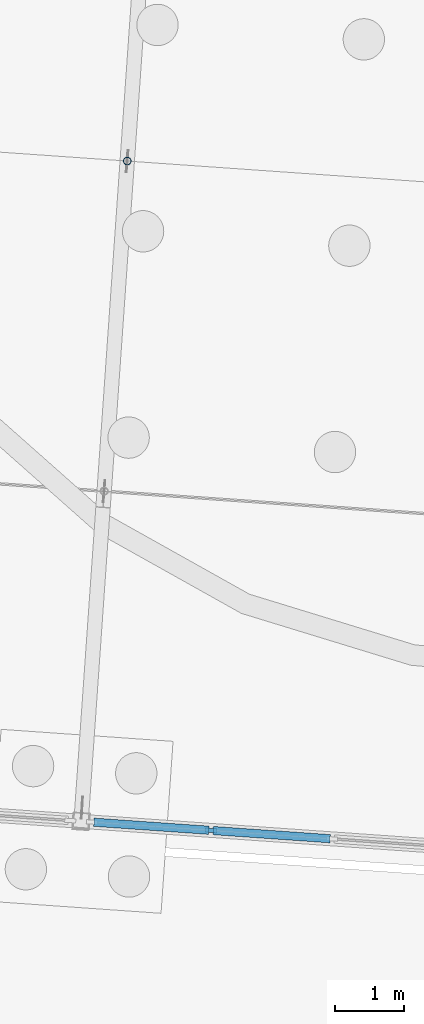
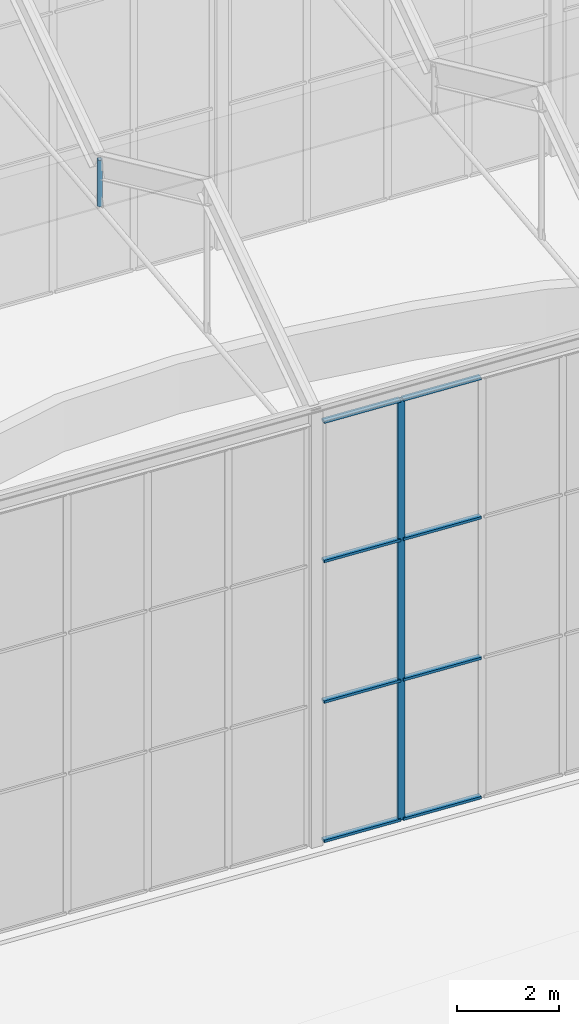
# One storey, part 41 of 157: 10 members, 1 element without a shape of its own.
"""IFC4 building model written with IfcOpenShell, lengths in metres."""

import ifcopenshell
import ifcopenshell.guid

model = None  # the IFC model being written
_history = None  # IfcOwnerHistory: only IFC2X3 demands one
_inside = {}  # id of a spatial element -> (the spatial element, [elements in it])
_under = {}  # id of a project, library or spatial element -> (it, [spatial elements below it])
_declared = {}  # id of a project -> (the project, [libraries it declares])
_typed = {}  # id of a type object -> (the type object, [elements of that type])
_made_of = {}  # id of a material, layer set ... -> (it, [elements and type objects made of it])


def new_model(schema):
    """Start an empty IFC model of exactly this schema.

    Asked for "IFC4X3", IfcOpenShell would pick the latest addendum, in which some entities
    have other attributes; the version numbers below select the first issue.
    IFC2X3 requires an IfcOwnerHistory on every rooted entity: one is made here for all.
    """
    global model, _history
    if schema == "IFC4X3":
        model = ifcopenshell.file(schema_version=(4, 3, 0, 0))
    else:
        model = ifcopenshell.file(schema=schema)
    _inside.clear()
    _under.clear()
    _declared.clear()
    _typed.clear()
    _made_of.clear()
    _history = None
    if model.schema == "IFC2X3":
        org = make("IfcOrganization", Name="unknown")
        user = make(
            "IfcPersonAndOrganization",
            ThePerson=make("IfcPerson", FamilyName="unknown"),
            TheOrganization=org,
        )
        app = make(
            "IfcApplication",
            ApplicationDeveloper=org,
            Version="unknown",
            ApplicationFullName="unknown",
            ApplicationIdentifier="unknown",
        )
        _history = make(
            "IfcOwnerHistory",
            OwningUser=user,
            OwningApplication=app,
            ChangeAction="ADDED",
            CreationDate=0,
        )
    return model


def make(cls, **values):
    """One entity of the class cls with the attributes given. An attribute that is None is left unset."""
    return model.create_entity(
        cls, **{name: value for name, value in values.items() if value is not None}
    )


def rooted(cls, **values):
    """An entity with a GlobalId (a new one), such as an element, a storey or a relation."""
    return make(cls, GlobalId=ifcopenshell.guid.new(), OwnerHistory=_history, **values)


def si_unit(unit_type, name, prefix=None):
    """IfcSIUnit, for example si_unit("LENGTHUNIT", "METRE", prefix="MILLI")."""
    return make("IfcSIUnit", UnitType=unit_type, Prefix=prefix, Name=name)


def assignment(units):
    """IfcUnitAssignment: the units of a project."""
    return None if units is None else make("IfcUnitAssignment", Units=units)


def point(xyz):
    """IfcCartesianPoint."""
    return None if xyz is None else make("IfcCartesianPoint", Coordinates=xyz)


def direction(xyz):
    """IfcDirection."""
    return None if xyz is None else make("IfcDirection", DirectionRatios=xyz)


def frame(location, z_axis=None, x_axis=None):
    """IfcAxis2Placement3D, a coordinate frame: its origin and axes. An axis left out is left unset."""
    return make(
        "IfcAxis2Placement3D",
        Location=point(location),
        Axis=direction(z_axis),
        RefDirection=direction(x_axis),
    )


def frame_2d(location, x_axis=None):
    """IfcAxis2Placement2D, a coordinate frame in the plane: its origin and x axis."""
    return make(
        "IfcAxis2Placement2D", Location=point(location), RefDirection=direction(x_axis)
    )


def origin():
    """The frame at (0, 0, 0) with its axes left unset."""
    return frame((0.0, 0.0, 0.0))


def origin_2d():
    """The frame at (0, 0) in the plane with its x axis left unset."""
    return frame_2d((0.0, 0.0))


def place(relative_to, where):
    """IfcLocalPlacement: puts the frame where relative to a parent placement (None: the world)."""
    return make(
        "IfcLocalPlacement", PlacementRelTo=relative_to, RelativePlacement=where
    )


def context(
    kind, dimensions, precision=None, world=None, true_north=None, identifier=None
):
    """IfcGeometricRepresentationContext, for example the 3D "Model" context."""
    return make(
        "IfcGeometricRepresentationContext",
        ContextIdentifier=identifier,
        ContextType=kind,
        CoordinateSpaceDimension=dimensions,
        Precision=precision,
        WorldCoordinateSystem=world,
        TrueNorth=true_north,
    )


def subcontext(parent, identifier, kind, view, scale=None):
    """IfcGeometricRepresentationSubContext, for example "Body" below "Model"."""
    return make(
        "IfcGeometricRepresentationSubContext",
        ContextIdentifier=identifier,
        ContextType=kind,
        ParentContext=parent,
        TargetScale=scale,
        TargetView=view,
    )


def project(units=None, contexts=None):
    """IfcProject with its units and contexts."""
    return rooted(
        "IfcProject",
        Name="project",
        RepresentationContexts=contexts,
        UnitsInContext=assignment(units),
    )


def spatial(cls, under=None, at=None, **own):
    """A site, building, storey or space (cls), placed at a placement, below another one or the project."""
    s = rooted(cls, ObjectPlacement=at, **own)
    if under is not None:
        _under.setdefault(under.id(), (under, []))[1].append(s)
    return s


def profile(cls, at=None, kind="AREA", **sizes):
    """A parametric profile (cls). Its sizes go by their IFC names, for example OverallWidth=200.0."""
    return make(cls, ProfileType=kind, Position=at, **sizes)


def rectangle(**sizes):
    """IfcRectangleProfileDef."""
    return profile("IfcRectangleProfileDef", **sizes)


def hollow_circle(**sizes):
    """IfcCircleHollowProfileDef."""
    return profile("IfcCircleHollowProfileDef", **sizes)


def extrude(swept, where, along, depth):
    """IfcExtrudedAreaSolid: the profile swept, set in the frame where, extruded along a direction by depth."""
    return make(
        "IfcExtrudedAreaSolid",
        SweptArea=swept,
        Position=where,
        ExtrudedDirection=direction(along),
        Depth=depth,
    )


def shape(context_of_items, identifier, shape_type, items):
    """IfcShapeRepresentation: the items that make up one representation, for example the "Body"."""
    return make(
        "IfcShapeRepresentation",
        ContextOfItems=context_of_items,
        RepresentationIdentifier=identifier,
        RepresentationType=shape_type,
        Items=items,
    )


def material(Name=None, Category=None):
    """IfcMaterial."""
    return make("IfcMaterial", Name=Name, Category=Category)


def material_profile(
    of_material, cross_section, Name=None, Category=None, Priority=None
):
    """IfcMaterialProfile: a cross section and its material."""
    return make(
        "IfcMaterialProfile",
        Name=Name,
        Material=of_material,
        Profile=cross_section,
        Priority=Priority,
        Category=Category,
    )


def profile_set(profiles, Name=None, composite=None):
    """IfcMaterialProfileSet."""
    return make(
        "IfcMaterialProfileSet",
        Name=Name,
        MaterialProfiles=profiles,
        CompositeProfile=composite,
    )


def made_of(thing, what):
    """Note that an element or type object is made of a material, layer set ...; save() writes the relation."""
    if what is not None:
        _made_of.setdefault(what.id(), (what, []))[1].append(thing)
    return thing


def type_object(cls, material=None, **own):
    """A type object (cls), such as IfcWallType, which elements share."""
    return made_of(rooted(cls, **own), material)


def element(
    cls,
    number,
    at=None,
    inside=None,
    cuts=None,
    type_object=None,
    material=None,
    context=None,
    identifier="Body",
    shape_type=None,
    held_by="IfcProductDefinitionShape",
    body=None,
    shapes=None,
    **own,
):
    """One element of the class cls, such as IfcWall. Its Tag is "e" and its number.

    at: its placement. inside: the storey or other place that contains it. cuts: it is an
    opening in that element (IfcRelVoidsElement). A single representation is given by context,
    identifier, shape_type and body (its items); several are given by shapes. held_by: the class
    of the entity that holds the representations. save() writes the other relations.
    """
    e = rooted(cls, Tag="e%d" % number, ObjectPlacement=at, **own)
    if body is not None:
        shapes = [shape(context, identifier, shape_type, body)]
    if shapes is not None:
        e.Representation = make(held_by, Representations=shapes)
    if inside is not None:
        _inside.setdefault(inside.id(), (inside, []))[1].append(e)
    if cuts is not None:
        rooted(
            "IfcRelVoidsElement", RelatingBuildingElement=cuts, RelatedOpeningElement=e
        )
    if type_object is not None:
        _typed.setdefault(type_object.id(), (type_object, []))[1].append(e)
    return made_of(e, material)


def aggregate(whole, parts):
    """IfcRelAggregates: a whole, such as a stair, and the parts it consists of."""
    return rooted("IfcRelAggregates", RelatingObject=whole, RelatedObjects=parts)


def save(model, path):
    """Write the relations noted so far, then the file.

    IfcRelAggregates (storeys below a building ...), IfcRelContainedInSpatialStructure (elements
    in a storey), IfcRelDefinesByType, IfcRelAssociatesMaterial and IfcRelDeclares: one each for
    every whole, place, type object, material and project.
    """
    for whole, parts in _under.values():
        aggregate(whole, parts)
    for where, things in _inside.values():
        rooted(
            "IfcRelContainedInSpatialStructure",
            RelatedElements=things,
            RelatingStructure=where,
        )
    for kind, things in _typed.values():
        rooted("IfcRelDefinesByType", RelatedObjects=things, RelatingType=kind)
    for what, things in _made_of.values():
        rooted("IfcRelAssociatesMaterial", RelatedObjects=things, RelatingMaterial=what)
    for by, libraries in _declared.values():
        rooted("IfcRelDeclares", RelatingContext=by, RelatedDefinitions=libraries)
    model.write(path)


model = new_model("IFC4")

# Units and contexts
model_context = context("Model", 3, precision=1e-05, world=origin(), true_north=direction((0.0, 1.0)))
body_context = subcontext(model_context, "Body", "Model", "MODEL_VIEW")
ifc_project = project(units=[si_unit("LENGTHUNIT", "METRE"), si_unit("AREAUNIT", "SQUARE_METRE"), si_unit("VOLUMEUNIT", "CUBIC_METRE"), si_unit("PLANEANGLEUNIT", "RADIAN"), si_unit("MASSUNIT", "GRAM", prefix="KILO")], contexts=[model_context])

# Site, building, storey
site_placement = place(None, origin())
site = spatial("IfcSite", under=ifc_project, at=site_placement, CompositionType="ELEMENT")
building_placement = place(site_placement, origin())
building = spatial("IfcBuilding", under=site, at=building_placement, Name="Windward Yard Aquatics Centre", CompositionType="ELEMENT")
storey_placement = place(building_placement, origin())
storey = spatial("IfcBuildingStorey", under=building, at=storey_placement, Name="L00", CompositionType="ELEMENT", Elevation=0.0)

# Member
ifc_material_1 = material(Name="Steel S355", Category="steel")
ifc_material_profile_1 = material_profile(ifc_material_1, hollow_circle(Radius=0.05712890625, WallThickness=0.006103515625, at=origin_2d()), Name="CHS114x6")
ifc_profile_set_1 = profile_set([ifc_material_profile_1], Name="Steel S355")
member_type_1 = type_object("IfcMemberType", Name="W CHS114x6 post", PredefinedType="POST", material=ifc_profile_set_1)
member_1_placement = place(storey_placement, frame((79.802978515625, 128.45068359375, 9.25), z_axis=(0.0, 0.0, 1.0), x_axis=(1.0, 0.0, 0.0)))
element("IfcMember", 1, at=member_1_placement, inside=storey, type_object=member_type_1, Name="W.HANG.2", PredefinedType="POST", context=body_context, shape_type="SweptSolid", body=[
    extrude(hollow_circle(Radius=0.05712890625, WallThickness=0.006103515625, at=origin_2d()), origin(), (0.0, 0.0, 1.0), 1.110107421875),
])

# Curtain wall, members
ifc_material_2 = material(Name="Aluminium curtain wall system", Category="aluminium")
curtain_wall_type = type_object("IfcCurtainWallType", Name="W curtain wall 1900", PredefinedType="NOTDEFINED", material=ifc_material_2)
curtain_wall_placement = place(storey_placement, origin())
curtain_wall = element("IfcCurtainWall", 2, at=curtain_wall_placement, inside=storey, type_object=curtain_wall_type, Name="Wing south glazing L00 5", PredefinedType="NOTDEFINED")
ifc_material_3 = material(Name="Aluminium mullion", Category="aluminium")
ifc_material_profile_2 = material_profile(ifc_material_3, rectangle(XDim=0.06005859375, YDim=0.159912109375, at=origin_2d()), Name="AL 60x160")
ifc_profile_set_2 = profile_set([ifc_material_profile_2], Name="Aluminium mullion")
member_type_2 = type_object("IfcMemberType", Name="W CW mullion 60x160", PredefinedType="MULLION", material=ifc_profile_set_2)
member_2_placement = place(storey_placement, frame((81.017333984375, 118.742431640625, 0.0), z_axis=(0.0, 0.0, 1.0), x_axis=(0.069756251182, 0.997564065823, 0.0)))
member_2 = element("IfcMember", 3, at=member_2_placement, type_object=member_type_2, Name="WCW1 mullion 2", PredefinedType="MULLION", context=body_context, shape_type="SweptSolid", body=[
    extrude(rectangle(XDim=0.06005859375, YDim=0.159912109375, at=origin_2d()), origin(), (0.0, 0.0, 1.0), 10.097900390625),
])
ifc_material_4 = material(Name="Aluminium transom", Category="aluminium")
ifc_material_profile_3 = material_profile(ifc_material_4, rectangle(XDim=0.1201171875, YDim=0.06005859375, at=origin_2d()), Name="AL 120x60")
ifc_profile_set_3 = profile_set([ifc_material_profile_3], Name="Aluminium transom")
member_type_3 = type_object("IfcMemberType", Name="W CW transom 120x60", PredefinedType="USERDEFINED", material=ifc_profile_set_3)
member_3_placement = place(storey_placement, frame((79.320068359375, 118.861083984375, 0.030029296875), z_axis=(0.997559272398, -0.06982476676, 0.0), x_axis=(0.06982476676, 0.997559272398, 0.0)))
member_3 = element("IfcMember", 4, at=member_3_placement, type_object=member_type_3, Name="WCW1 transom 1.1", ObjectType="TRANSOM", PredefinedType="USERDEFINED", context=body_context, shape_type="SweptSolid", body=[
    extrude(rectangle(XDim=0.1201171875, YDim=0.06005859375, at=origin_2d()), origin(), (0.0, 0.0, 1.0), 1.67138671875),
])
member_4_placement = place(storey_placement, frame((79.320068359375, 118.861083984375, 3.365966796875), z_axis=(0.997559272398, -0.06982476676, 0.0), x_axis=(0.06982476676, 0.997559272398, 0.0)))
member_4 = element("IfcMember", 5, at=member_4_placement, type_object=member_type_3, Name="WCW1 transom 1.2", ObjectType="TRANSOM", PredefinedType="USERDEFINED", context=body_context, shape_type="SweptSolid", body=[
    extrude(rectangle(XDim=0.1201171875, YDim=0.06005859375, at=origin_2d()), origin(), (0.0, 0.0, 1.0), 1.67138671875),
])
member_5_placement = place(storey_placement, frame((79.320068359375, 118.861083984375, 6.73193359375), z_axis=(0.997559272398, -0.06982476676, 0.0), x_axis=(0.06982476676, 0.997559272398, 0.0)))
member_5 = element("IfcMember", 6, at=member_5_placement, type_object=member_type_3, Name="WCW1 transom 1.3", ObjectType="TRANSOM", PredefinedType="USERDEFINED", context=body_context, shape_type="SweptSolid", body=[
    extrude(rectangle(XDim=0.1201171875, YDim=0.06005859375, at=origin_2d()), origin(), (0.0, 0.0, 1.0), 1.67138671875),
])
member_6_placement = place(storey_placement, frame((79.320068359375, 118.861083984375, 10.068115234375), z_axis=(0.997559272398, -0.06982476676, 0.0), x_axis=(0.06982476676, 0.997559272398, 0.0)))
member_6 = element("IfcMember", 7, at=member_6_placement, type_object=member_type_3, Name="WCW1 transom 1.4", ObjectType="TRANSOM", PredefinedType="USERDEFINED", context=body_context, shape_type="SweptSolid", body=[
    extrude(rectangle(XDim=0.1201171875, YDim=0.06005859375, at=origin_2d()), origin(), (0.0, 0.0, 1.0), 1.67138671875),
])
member_7_placement = place(storey_placement, frame((81.047119140625, 118.740234375, 0.030029296875), z_axis=(0.997566057818, -0.069727758392, 0.0), x_axis=(0.069727758392, 0.997566057818, 0.0)))
member_7 = element("IfcMember", 8, at=member_7_placement, type_object=member_type_3, Name="WCW1 transom 2.1", ObjectType="TRANSOM", PredefinedType="USERDEFINED", context=body_context, shape_type="SweptSolid", body=[
    extrude(rectangle(XDim=0.1201171875, YDim=0.06005859375, at=origin_2d()), origin(), (0.0, 0.0, 1.0), 1.70166015625),
])
member_8_placement = place(storey_placement, frame((81.047119140625, 118.740234375, 3.365966796875), z_axis=(0.997566057818, -0.069727758392, 0.0), x_axis=(0.069727758392, 0.997566057818, 0.0)))
member_8 = element("IfcMember", 9, at=member_8_placement, type_object=member_type_3, Name="WCW1 transom 2.2", ObjectType="TRANSOM", PredefinedType="USERDEFINED", context=body_context, shape_type="SweptSolid", body=[
    extrude(rectangle(XDim=0.1201171875, YDim=0.06005859375, at=origin_2d()), origin(), (0.0, 0.0, 1.0), 1.70166015625),
])
member_9_placement = place(storey_placement, frame((81.047119140625, 118.740234375, 6.73193359375), z_axis=(0.997566057818, -0.069727758392, 0.0), x_axis=(0.069727758392, 0.997566057818, 0.0)))
member_9 = element("IfcMember", 10, at=member_9_placement, type_object=member_type_3, Name="WCW1 transom 2.3", ObjectType="TRANSOM", PredefinedType="USERDEFINED", context=body_context, shape_type="SweptSolid", body=[
    extrude(rectangle(XDim=0.1201171875, YDim=0.06005859375, at=origin_2d()), origin(), (0.0, 0.0, 1.0), 1.70166015625),
])
member_10_placement = place(storey_placement, frame((81.047119140625, 118.740234375, 10.068115234375), z_axis=(0.997566057818, -0.069727758392, 0.0), x_axis=(0.069727758392, 0.997566057818, 0.0)))
member_10 = element("IfcMember", 11, at=member_10_placement, type_object=member_type_3, Name="WCW1 transom 2.4", ObjectType="TRANSOM", PredefinedType="USERDEFINED", context=body_context, shape_type="SweptSolid", body=[
    extrude(rectangle(XDim=0.1201171875, YDim=0.06005859375, at=origin_2d()), origin(), (0.0, 0.0, 1.0), 1.70166015625),
])
aggregate(curtain_wall, [member_2, member_3, member_4, member_5, member_6, member_7, member_8, member_9, member_10])

save(model, "model.ifc")
